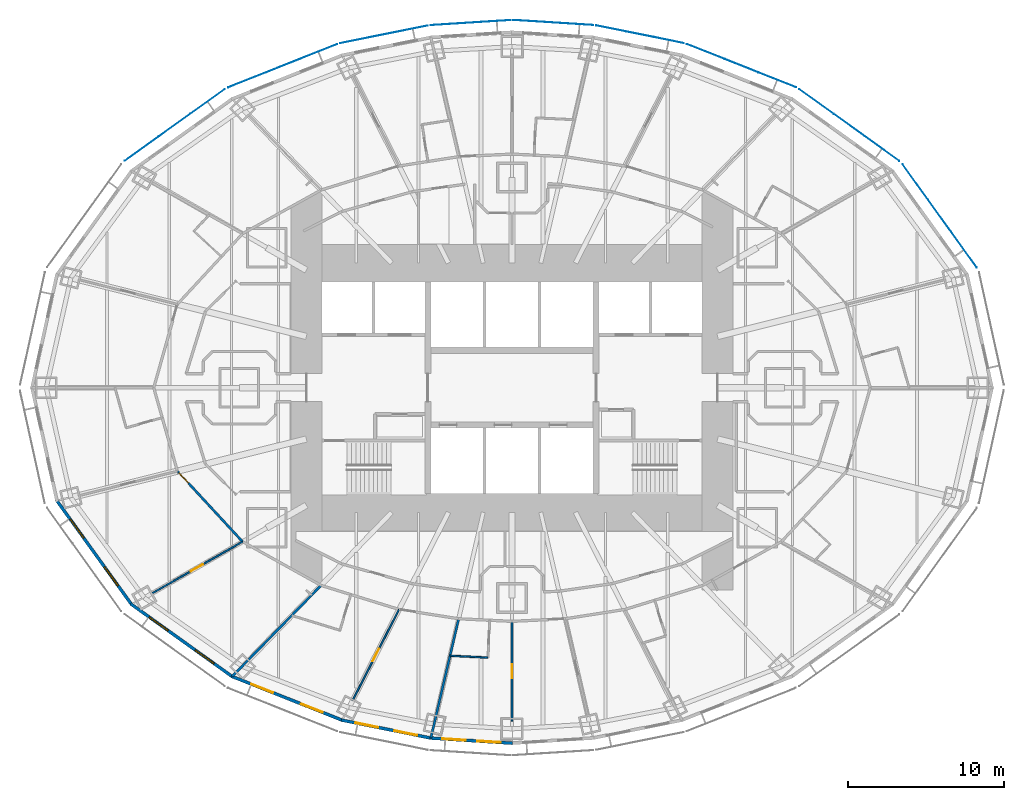
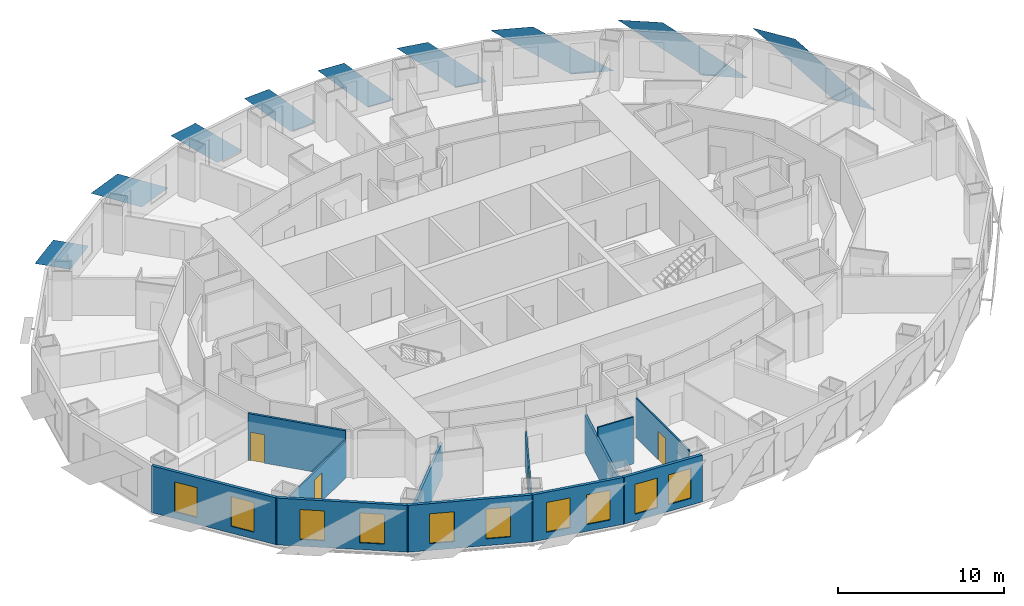
# One storey, part 4 of 15: 12 walls, 10 windows, 9 plates, 4 doors, 14 openings.
"""IFC4 building model written with IfcOpenShell, lengths in metres."""

from ifc_helpers import new_model, si_unit, direction, frame, frame_2d, origin, place, context, subcontext, project, spatial, polyline, rectangle, outline, extrude, material, layer, layer_set, type_object, element, fill, save


model = new_model("IFC4")

# Units and contexts
model_context = context("Model", 3, precision=1e-05, world=origin(), true_north=direction((0.0, 1.0)))
body_context = subcontext(model_context, "Body", "Model", "MODEL_VIEW")
ifc_project = project(units=[si_unit("LENGTHUNIT", "METRE"), si_unit("AREAUNIT", "SQUARE_METRE"), si_unit("VOLUMEUNIT", "CUBIC_METRE"), si_unit("PLANEANGLEUNIT", "RADIAN"), si_unit("MASSUNIT", "GRAM", prefix="KILO")], contexts=[model_context])

# Site, building, storey
site_placement = place(None, origin())
site = spatial("IfcSite", under=ifc_project, at=site_placement, CompositionType="ELEMENT")
building_placement = place(site_placement, origin())
building = spatial("IfcBuilding", under=site, at=building_placement, Name="Lantaw Convention Tower", CompositionType="ELEMENT")
storey_placement = place(building_placement, frame((0.0, 0.0, 98.199951171875)))
storey = spatial("IfcBuildingStorey", under=building, at=storey_placement, Name="L23", CompositionType="ELEMENT", Elevation=98.199951171875)

# Plates
ifc_material_1 = material(Name="Perforated aluminium sheet, pale silver finish", Category="aluminium")
ifc_layer_1 = layer(ifc_material_1, 0.006103515625)
ifc_layer_set_1 = layer_set([ifc_layer_1], Name="Perforated aluminium solar SCREEN panel")
plate_type = type_object("IfcPlateType", Name="Perforated aluminium solar SCREEN panel", PredefinedType="SHEET", material=ifc_layer_set_1)
plate_1_placement = place(storey_placement, frame((29.847900390625, 7.720947265625, -0.175048828125), z_axis=(0.811791382613, 0.583947558463, 9.019268e-06), x_axis=(-0.583947558486, 0.811791382646, 0.0)))
element("IfcPlate", 1, at=plate_1_placement, inside=storey, type_object=plate_type, Name="Solar SCREEN panel", PredefinedType="SHEET", context=body_context, shape_type="SweptSolid", body=[
    extrude(outline(polyline([(0.0, 0.0), (2.809541672291133, 0.0), (8.163093158837512, 3.739990234527119), (5.353551486546379, 3.739990234527119), (0.0, 0.0)])), origin(), (0.0, 0.0, -1.0), 0.006103515625),
])
plate_2_placement = place(storey_placement, frame((24.872314453125, 14.555908203125, -0.175048828125), z_axis=(0.582561421998, 0.812786681331, 1.5819417e-05), x_axis=(-0.812786681433, 0.582561422071, 0.0)))
element("IfcPlate", 2, at=plate_2_placement, inside=storey, type_object=plate_type, Name="Solar SCREEN panel", PredefinedType="SHEET", context=body_context, shape_type="SweptSolid", body=[
    extrude(outline(polyline([(0.0, 0.0), (2.721095180812288, 3.3881317890172014e-21), (7.903118572410756, 3.739990234842974), (5.182023391598468, 3.739990234842974), (0.0, 0.0)])), origin(), (0.0, 0.0, -1.0), 0.006103515625),
])
plate_3_placement = place(storey_placement, frame((18.232177734375, 19.278076171875, -0.175048828125), z_axis=(-0.369183532846, -0.929356508016, 9.163296e-06), x_axis=(-0.929356508055, 0.369183532862, 0.0)))
element("IfcPlate", 3, at=plate_3_placement, inside=storey, type_object=plate_type, Name="Solar SCREEN panel", PredefinedType="SHEET", context=body_context, shape_type="SweptSolid", body=[
    extrude(outline(polyline([(0.0, 0.0), (2.594936467166582, -1.6940658945086007e-21), (7.5321069917580825, -3.739990234532016), (4.937170524591499, -3.739990234532016), (0.0, 0.0)])), origin(), (0.0, 0.0, -1.0), 0.006103515625),
])
plate_4_placement = place(storey_placement, frame((11.03271484375, 22.117919921875, -0.175048828125), z_axis=(-0.197781876197, -0.980246055561, 2.418535e-06), x_axis=(-0.980246055563, 0.197781876198, 1.46e-10)))
element("IfcPlate", 4, at=plate_4_placement, inside=storey, type_object=plate_type, Name="Solar SCREEN panel", PredefinedType="SHEET", context=body_context, shape_type="SweptSolid", body=[
    extrude(outline(polyline([(0.0, 0.0), (1.9867801772236329, -3.1763735522036263e-22), (5.743587245978565, -3.7399902335493134), (3.7568553553458006, -3.739990234128105), (0.0, 0.0)])), origin(), (0.0, 0.0, -1.0), 0.006103515625),
])
plate_5_placement = place(storey_placement, frame((5.221923828125, 23.27783203125, -0.175048828125), z_axis=(-0.062923905251, -0.998018327468, 1.3605496e-05), x_axis=(-0.998018327561, 0.062923905257, 9.3e-10)))
element("IfcPlate", 5, at=plate_5_placement, inside=storey, type_object=plate_type, Name="Solar SCREEN panel", PredefinedType="SHEET", context=body_context, shape_type="SweptSolid", body=[
    extrude(outline(polyline([(0.0, 0.0), (1.7828375409377817, -2.117582368135751e-22), (5.143985963027618, -3.739990229938699), (3.3611637843713935, -3.7399902332537565), (0.0, 0.0)])), origin(), (0.0, 0.0, -1.0), 0.006103515625),
])
plate_6_placement = place(storey_placement, frame((-0.088134765625, 23.6015625, -0.175048828125), z_axis=(-0.062923905251, 0.998018327468, 1.3605496e-05), x_axis=(-0.998018327561, -0.062923905257, -9.3e-10)))
element("IfcPlate", 6, at=plate_6_placement, inside=storey, type_object=plate_type, Name="Solar SCREEN panel", PredefinedType="SHEET", context=body_context, shape_type="SweptSolid", body=[
    extrude(outline(polyline([(0.0, 0.0), (1.782822178656225, -2.117582368135751e-22), (5.143985956073316, 3.7399902395036517), (3.3611484151355353, 3.7399902361885653), (0.0, 0.0)])), origin(), (0.0, 0.0, -1.0), 0.006103515625),
])
plate_7_placement = place(storey_placement, frame((-5.402587890625, 23.25390625, -0.175048828125), z_axis=(-0.197781876197, 0.980246055561, 2.418535e-06), x_axis=(-0.980246055563, -0.197781876198, -1.46e-10)))
element("IfcPlate", 7, at=plate_7_placement, inside=storey, type_object=plate_type, Name="Solar SCREEN panel", PredefinedType="SHEET", context=body_context, shape_type="SweptSolid", body=[
    extrude(outline(polyline([(0.0, 0.0), (1.9867318906327642, 1.0587911840678754e-22), (5.743587244888999, 3.7399902352225842), (3.7568070676653664, 3.7399902346437783), (0.0, 0.0)])), origin(), (0.0, 0.0, -1.0), 0.006103515625),
])
plate_8_placement = place(storey_placement, frame((-11.232177734375, 22.058837890625, -0.175048828125), z_axis=(-0.369183532846, 0.929356508016, 9.163296e-06), x_axis=(-0.929356508055, -0.369183532862, 0.0)))
element("IfcPlate", 8, at=plate_8_placement, inside=storey, type_object=plate_type, Name="Solar SCREEN panel", PredefinedType="SHEET", context=body_context, shape_type="SweptSolid", body=[
    extrude(outline(polyline([(0.0, 0.0), (2.594936467166582, 1.6940658945086007e-21), (7.5321069917580825, 3.739990234532016), (4.937170524591499, 3.739990234532016), (0.0, 0.0)])), origin(), (0.0, 0.0, -1.0), 0.006103515625),
])
plate_9_placement = place(storey_placement, frame((-18.44873046875, 19.159912109375, -0.175048828125), z_axis=(0.582561421998, -0.812786681331, 1.5819417e-05), x_axis=(-0.812786681433, -0.582561422071, 0.0)))
element("IfcPlate", 9, at=plate_9_placement, inside=storey, type_object=plate_type, Name="Solar SCREEN panel", PredefinedType="SHEET", context=body_context, shape_type="SweptSolid", body=[
    extrude(outline(polyline([(0.0, 0.0), (2.721095180812288, -3.3881317890172014e-21), (7.903118572410756, -3.739990234842974), (5.182023391598468, -3.739990234842974), (0.0, 0.0)])), origin(), (0.0, 0.0, -1.0), 0.006103515625),
])

# Wall
ifc_material_2 = material(Name="Moisture resistant gypsum board on steel studs", Category="steel")
ifc_layer_2 = layer(ifc_material_2, 0.10009765625)
ifc_layer_set_2 = layer_set([ifc_layer_2], Name="Bathroom wall 100")
wall_type_1 = type_object("IfcWallType", Name="Bathroom wall 100", PredefinedType="PARTITIONING", material=ifc_layer_set_2)
wall_1_placement = place(storey_placement, frame((-1.5439453125, -17.327392578125, 0.0), z_axis=(0.0, 0.0, 1.0), x_axis=(-0.998813899717, 0.048690797202, 0.0)))
element("IfcWall", 10, at=wall_1_placement, inside=storey, type_object=wall_type_1, Name="Bathroom wall 100", PredefinedType="PARTITIONING", context=body_context, shape_type="SweptSolid", body=[
    extrude(rectangle(XDim=2.431884765625, YDim=0.10009765625, at=frame_2d((1.2158203125, 0.0))), origin(), (0.0, 0.0, 1.0), 3.449951171875),
])

# Wall, opening, door
ifc_material_3 = material(Name="Gypsum board on steel studs, fire rated", Category="steel")
ifc_layer_3 = layer(ifc_material_3, 0.14990234375)
ifc_layer_set_3 = layer_set([ifc_layer_3], Name="Corridor wall 150 EI 60")
wall_type_2 = type_object("IfcWallType", Name="Corridor wall 150 EI 60", PredefinedType="PARTITIONING", material=ifc_layer_set_3)
wall_2_placement = place(storey_placement, frame((-21.483642578125, -5.3564453125, 0.0), z_axis=(0.0, 0.0, 1.0), x_axis=(0.678641806296, -0.734469399463, 0.0)))
wall_2 = element("IfcWall", 11, at=wall_2_placement, inside=storey, type_object=wall_type_2, Name="Corridor wall 150", PredefinedType="PARTITIONING", context=body_context, shape_type="SweptSolid", body=[
    extrude(rectangle(XDim=6.166015625, YDim=0.14990234375, at=frame_2d((3.0830078125, 0.0))), origin(), (0.0, 0.0, 1.0), 3.449951171875),
])
opening_1_placement = place(wall_2_placement, frame((0.14990234375, 0.0, 0.0)))
opening_1 = element("IfcOpeningElement", 12, at=opening_1_placement, cuts=wall_2, Name="Opening L23.46", PredefinedType="OPENING", context=body_context, shape_type="SweptSolid", body=[
    extrude(rectangle(XDim=0.89990234375, YDim=2.10009765625, at=frame_2d((0.449951171875, 1.050048828125))), frame((0.0, 0.0849609375, 0.0), z_axis=(0.0, -1.0, 0.0), x_axis=(1.0, 0.0, 0.0)), (0.0, 0.0, 1.0), 0.169921875),
])
ifc_material_4 = material(Name="Steel, fire rated", Category="steel")
door_type_1 = type_object("IfcDoorType", Name="Guest room entrance door FD30S", OperationType="SINGLE_SWING_LEFT", PredefinedType="DOOR", material=ifc_material_4)
door_1_placement = place(opening_1_placement, origin())
door_1 = element("IfcDoor", 13, at=door_1_placement, inside=storey, type_object=door_type_1, Name="Suite entrance door", OperationType="SINGLE_SWING_LEFT", OverallHeight=2.10009765625, OverallWidth=0.89990234375, PredefinedType="DOOR", context=body_context, shape_type="SweptSolid", body=[
    extrude(rectangle(XDim=0.89990234375, YDim=2.10009765625, at=frame_2d((0.449951171875, 1.050048828125))), frame((0.0, 0.02490234375, 0.0), z_axis=(0.0, -1.0, 0.0), x_axis=(1.0, 0.0, 0.0)), (0.0, 0.0, 1.0), 0.050048828125),
])
fill(opening_1, door_1)

# Wall, openings, windows
ifc_material_5 = material(Name="Insulated aluminium panel on steel frame", Category="steel")
ifc_layer_4 = layer(ifc_material_5, 0.199951171875)
ifc_layer_set_4 = layer_set([ifc_layer_4], Name="External wall 200")
wall_type_3 = type_object("IfcWallType", Name="External wall 200", PredefinedType="SOLIDWALL", material=ifc_layer_set_4)
wall_3_placement = place(storey_placement, frame((-29.260498046875, -7.199951171875, 0.0), z_axis=(0.0, 0.0, 1.0), x_axis=(0.583937613703, -0.811798536155, 0.0)))
wall_3 = element("IfcWall", 14, at=wall_3_placement, inside=storey, type_object=wall_type_3, Name="Facade panel wall", PredefinedType="SOLIDWALL", context=body_context, shape_type="SweptSolid", body=[
    extrude(rectangle(XDim=8.322998046875, YDim=0.199951171875, at=frame_2d((4.16162109375, 0.0))), origin(), (0.0, 0.0, 1.0), 3.449951171875),
])
opening_2_placement = place(wall_3_placement, frame((1.53076171875, 0.0, 0.5)))
opening_2 = element("IfcOpeningElement", 15, at=opening_2_placement, cuts=wall_3, Name="Opening W2", PredefinedType="OPENING", context=body_context, shape_type="SweptSolid", body=[
    extrude(rectangle(XDim=1.5, YDim=2.199951171875, at=frame_2d((0.75, 1.10009765625))), frame((0.0, 0.10986328125, 0.0), z_axis=(0.0, -1.0, 0.0), x_axis=(1.0, 0.0, 0.0)), (0.0, 0.0, 1.0), 0.219970703125),
])
opening_3_placement = place(wall_3_placement, frame((5.292236328125, 0.0, 0.5)))
opening_3 = element("IfcOpeningElement", 16, at=opening_3_placement, cuts=wall_3, Name="Opening W2", PredefinedType="OPENING", context=body_context, shape_type="SweptSolid", body=[
    extrude(rectangle(XDim=1.5, YDim=2.199951171875, at=frame_2d((0.75, 1.10009765625))), frame((0.0, 0.10986328125, 0.0), z_axis=(0.0, -1.0, 0.0), x_axis=(1.0, 0.0, 0.0)), (0.0, 0.0, 1.0), 0.219970703125),
])
ifc_material_6 = material(Name="Aluminium frame, clear insulating glass", Category="aluminium")
window_type = type_object("IfcWindowType", Name="Suite window 1500x2200", PartitioningType="SINGLE_PANEL", PredefinedType="WINDOW", material=ifc_material_6)
window_1_placement = place(opening_2_placement, origin())
window_1 = element("IfcWindow", 17, at=window_1_placement, inside=storey, type_object=window_type, Name="Guest room window", OverallHeight=2.199951171875, OverallWidth=1.5, PartitioningType="SINGLE_PANEL", PredefinedType="WINDOW", context=body_context, shape_type="SweptSolid", body=[
    extrude(rectangle(XDim=1.5, YDim=2.199951171875, at=frame_2d((0.75, 1.10009765625))), frame((0.0, 0.030029296875, 0.0), z_axis=(0.0, -1.0, 0.0), x_axis=(1.0, 0.0, 0.0)), (0.0, 0.0, 1.0), 0.06005859375),
])
fill(opening_2, window_1)
window_2_placement = place(opening_3_placement, origin())
window_2 = element("IfcWindow", 18, at=window_2_placement, inside=storey, type_object=window_type, Name="Guest room window", OverallHeight=2.199951171875, OverallWidth=1.5, PartitioningType="SINGLE_PANEL", PredefinedType="WINDOW", context=body_context, shape_type="SweptSolid", body=[
    extrude(rectangle(XDim=1.5, YDim=2.199951171875, at=frame_2d((0.75, 1.10009765625))), frame((0.0, 0.030029296875, 0.0), z_axis=(0.0, -1.0, 0.0), x_axis=(1.0, 0.0, 0.0)), (0.0, 0.0, 1.0), 0.06005859375),
])
fill(opening_3, window_2)

wall_4_placement = place(storey_placement, frame((-24.482421875, -13.87451171875, 0.0), z_axis=(0.0, 0.0, 1.0), x_axis=(0.812791321576, -0.582554948112, 0.0)))
wall_4 = element("IfcWall", 19, at=wall_4_placement, inside=storey, type_object=wall_type_3, Name="Facade panel wall", PredefinedType="SOLIDWALL", context=body_context, shape_type="SweptSolid", body=[
    extrude(rectangle(XDim=8.063232421875, YDim=0.199951171875, at=frame_2d((4.03173828125, 0.0))), origin(), (0.0, 0.0, 1.0), 3.449951171875),
])
opening_4_placement = place(wall_4_placement, frame((1.4658203125, 0.0, 0.5)))
opening_4 = element("IfcOpeningElement", 20, at=opening_4_placement, cuts=wall_4, Name="Opening W2", PredefinedType="OPENING", context=body_context, shape_type="SweptSolid", body=[
    extrude(rectangle(XDim=1.5, YDim=2.199951171875, at=frame_2d((0.75, 1.10009765625))), frame((0.0, 0.10986328125, 0.0), z_axis=(0.0, -1.0, 0.0), x_axis=(1.0, 0.0, 0.0)), (0.0, 0.0, 1.0), 0.219970703125),
])
opening_5_placement = place(wall_4_placement, frame((5.097412109375, 0.0, 0.5)))
opening_5 = element("IfcOpeningElement", 21, at=opening_5_placement, cuts=wall_4, Name="Opening W2", PredefinedType="OPENING", context=body_context, shape_type="SweptSolid", body=[
    extrude(rectangle(XDim=1.5, YDim=2.199951171875, at=frame_2d((0.75, 1.10009765625))), frame((0.0, 0.10986328125, 0.0), z_axis=(0.0, -1.0, 0.0), x_axis=(1.0, 0.0, 0.0)), (0.0, 0.0, 1.0), 0.219970703125),
])
window_3_placement = place(opening_4_placement, origin())
window_3 = element("IfcWindow", 22, at=window_3_placement, inside=storey, type_object=window_type, Name="Guest room window", OverallHeight=2.199951171875, OverallWidth=1.5, PartitioningType="SINGLE_PANEL", PredefinedType="WINDOW", context=body_context, shape_type="SweptSolid", body=[
    extrude(rectangle(XDim=1.5, YDim=2.199951171875, at=frame_2d((0.75, 1.10009765625))), frame((0.0, 0.030029296875, 0.0), z_axis=(0.0, -1.0, 0.0), x_axis=(1.0, 0.0, 0.0)), (0.0, 0.0, 1.0), 0.06005859375),
])
fill(opening_4, window_3)
window_4_placement = place(opening_5_placement, origin())
window_4 = element("IfcWindow", 23, at=window_4_placement, inside=storey, type_object=window_type, Name="Guest room window", OverallHeight=2.199951171875, OverallWidth=1.5, PartitioningType="SINGLE_PANEL", PredefinedType="WINDOW", context=body_context, shape_type="SweptSolid", body=[
    extrude(rectangle(XDim=1.5, YDim=2.199951171875, at=frame_2d((0.75, 1.10009765625))), frame((0.0, 0.030029296875, 0.0), z_axis=(0.0, -1.0, 0.0), x_axis=(1.0, 0.0, 0.0)), (0.0, 0.0, 1.0), 0.06005859375),
])
fill(opening_5, window_4)

wall_5_placement = place(storey_placement, frame((-18.018310546875, -18.522705078125, 0.0), z_axis=(0.0, 0.0, 1.0), x_axis=(0.929358351251, -0.369178892895, 0.0)))
wall_5 = element("IfcWall", 24, at=wall_5_placement, inside=storey, type_object=wall_type_3, Name="Facade panel wall", PredefinedType="SOLIDWALL", context=body_context, shape_type="SweptSolid", body=[
    extrude(rectangle(XDim=7.6923828125, YDim=0.199951171875, at=frame_2d((3.84619140625, 0.0))), origin(), (0.0, 0.0, 1.0), 3.449951171875),
])
opening_6_placement = place(wall_5_placement, frame((1.373046875, 0.0, 0.5)))
opening_6 = element("IfcOpeningElement", 25, at=opening_6_placement, cuts=wall_5, Name="Opening W2", PredefinedType="OPENING", context=body_context, shape_type="SweptSolid", body=[
    extrude(rectangle(XDim=1.5, YDim=2.199951171875, at=frame_2d((0.75, 1.10009765625))), frame((0.0, 0.10986328125, 0.0), z_axis=(0.0, -1.0, 0.0), x_axis=(1.0, 0.0, 0.0)), (0.0, 0.0, 1.0), 0.219970703125),
])
opening_7_placement = place(wall_5_placement, frame((4.819091796875, 0.0, 0.5)))
opening_7 = element("IfcOpeningElement", 26, at=opening_7_placement, cuts=wall_5, Name="Opening W2", PredefinedType="OPENING", context=body_context, shape_type="SweptSolid", body=[
    extrude(rectangle(XDim=1.5, YDim=2.199951171875, at=frame_2d((0.75, 1.10009765625))), frame((0.0, 0.10986328125, 0.0), z_axis=(0.0, -1.0, 0.0), x_axis=(1.0, 0.0, 0.0)), (0.0, 0.0, 1.0), 0.219970703125),
])
window_5_placement = place(opening_6_placement, origin())
window_5 = element("IfcWindow", 27, at=window_5_placement, inside=storey, type_object=window_type, Name="Guest room window", OverallHeight=2.199951171875, OverallWidth=1.5, PartitioningType="SINGLE_PANEL", PredefinedType="WINDOW", context=body_context, shape_type="SweptSolid", body=[
    extrude(rectangle(XDim=1.5, YDim=2.199951171875, at=frame_2d((0.75, 1.10009765625))), frame((0.0, 0.030029296875, 0.0), z_axis=(0.0, -1.0, 0.0), x_axis=(1.0, 0.0, 0.0)), (0.0, 0.0, 1.0), 0.06005859375),
])
fill(opening_6, window_5)
window_6_placement = place(opening_7_placement, origin())
window_6 = element("IfcWindow", 28, at=window_6_placement, inside=storey, type_object=window_type, Name="Guest room window", OverallHeight=2.199951171875, OverallWidth=1.5, PartitioningType="SINGLE_PANEL", PredefinedType="WINDOW", context=body_context, shape_type="SweptSolid", body=[
    extrude(rectangle(XDim=1.5, YDim=2.199951171875, at=frame_2d((0.75, 1.10009765625))), frame((0.0, 0.030029296875, 0.0), z_axis=(0.0, -1.0, 0.0), x_axis=(1.0, 0.0, 0.0)), (0.0, 0.0, 1.0), 0.06005859375),
])
fill(opening_7, window_6)

wall_6_placement = place(storey_placement, frame((-10.956787109375, -21.336669921875, 0.0), z_axis=(0.0, 0.0, 1.0), x_axis=(0.980251657452, -0.197754110105, 0.0)))
wall_6 = element("IfcWall", 29, at=wall_6_placement, inside=storey, type_object=wall_type_3, Name="Facade panel wall", PredefinedType="SOLIDWALL", context=body_context, shape_type="SweptSolid", body=[
    extrude(rectangle(XDim=5.90380859375, YDim=0.199951171875, at=frame_2d((2.951904296875, 0.0))), origin(), (0.0, 0.0, 1.0), 3.449951171875),
])
opening_8_placement = place(wall_6_placement, frame((0.92578125, 0.0, 0.5)))
opening_8 = element("IfcOpeningElement", 30, at=opening_8_placement, cuts=wall_6, Name="Opening W2", PredefinedType="OPENING", context=body_context, shape_type="SweptSolid", body=[
    extrude(rectangle(XDim=1.5, YDim=2.199951171875, at=frame_2d((0.75, 1.10009765625))), frame((0.0, 0.10986328125, 0.0), z_axis=(0.0, -1.0, 0.0), x_axis=(1.0, 0.0, 0.0)), (0.0, 0.0, 1.0), 0.219970703125),
])
opening_9_placement = place(wall_6_placement, frame((3.477783203125, 0.0, 0.5)))
opening_9 = element("IfcOpeningElement", 31, at=opening_9_placement, cuts=wall_6, Name="Opening W2", PredefinedType="OPENING", context=body_context, shape_type="SweptSolid", body=[
    extrude(rectangle(XDim=1.5, YDim=2.199951171875, at=frame_2d((0.75, 1.10009765625))), frame((0.0, 0.10986328125, 0.0), z_axis=(0.0, -1.0, 0.0), x_axis=(1.0, 0.0, 0.0)), (0.0, 0.0, 1.0), 0.219970703125),
])
window_7_placement = place(opening_8_placement, origin())
window_7 = element("IfcWindow", 32, at=window_7_placement, inside=storey, type_object=window_type, Name="Guest room window", OverallHeight=2.199951171875, OverallWidth=1.5, PartitioningType="SINGLE_PANEL", PredefinedType="WINDOW", context=body_context, shape_type="SweptSolid", body=[
    extrude(rectangle(XDim=1.5, YDim=2.199951171875, at=frame_2d((0.75, 1.10009765625))), frame((0.0, 0.030029296875, 0.0), z_axis=(0.0, -1.0, 0.0), x_axis=(1.0, 0.0, 0.0)), (0.0, 0.0, 1.0), 0.06005859375),
])
fill(opening_8, window_7)
window_8_placement = place(opening_9_placement, origin())
window_8 = element("IfcWindow", 33, at=window_8_placement, inside=storey, type_object=window_type, Name="Guest room window", OverallHeight=2.199951171875, OverallWidth=1.5, PartitioningType="SINGLE_PANEL", PredefinedType="WINDOW", context=body_context, shape_type="SweptSolid", body=[
    extrude(rectangle(XDim=1.5, YDim=2.199951171875, at=frame_2d((0.75, 1.10009765625))), frame((0.0, 0.030029296875, 0.0), z_axis=(0.0, -1.0, 0.0), x_axis=(1.0, 0.0, 0.0)), (0.0, 0.0, 1.0), 0.06005859375),
])
fill(opening_9, window_8)

wall_7_placement = place(storey_placement, frame((-5.252685546875, -22.493408203125, 0.0), z_axis=(0.0, 0.0, 1.0), x_axis=(0.998018582375, -0.062919863585, 0.0)))
wall_7 = element("IfcWall", 34, at=wall_7_placement, inside=storey, type_object=wall_type_3, Name="Facade panel wall", PredefinedType="SOLIDWALL", context=body_context, shape_type="SweptSolid", body=[
    extrude(rectangle(XDim=5.30419921875, YDim=0.199951171875, at=frame_2d((2.652099609375, 0.0))), origin(), (0.0, 0.0, 1.0), 3.449951171875),
])
opening_10_placement = place(wall_7_placement, frame((0.77587890625, 0.0, 0.5)))
opening_10 = element("IfcOpeningElement", 35, at=opening_10_placement, cuts=wall_7, Name="Opening W2", PredefinedType="OPENING", context=body_context, shape_type="SweptSolid", body=[
    extrude(rectangle(XDim=1.5, YDim=2.199951171875, at=frame_2d((0.75, 1.10009765625))), frame((0.0, 0.10986328125, 0.0), z_axis=(0.0, -1.0, 0.0), x_axis=(1.0, 0.0, 0.0)), (0.0, 0.0, 1.0), 0.219970703125),
])
opening_11_placement = place(wall_7_placement, frame((3.028076171875, 0.0, 0.5)))
opening_11 = element("IfcOpeningElement", 36, at=opening_11_placement, cuts=wall_7, Name="Opening W2", PredefinedType="OPENING", context=body_context, shape_type="SweptSolid", body=[
    extrude(rectangle(XDim=1.5, YDim=2.199951171875, at=frame_2d((0.75, 1.10009765625))), frame((0.0, 0.10986328125, 0.0), z_axis=(0.0, -1.0, 0.0), x_axis=(1.0, 0.0, 0.0)), (0.0, 0.0, 1.0), 0.219970703125),
])
window_9_placement = place(opening_10_placement, origin())
window_9 = element("IfcWindow", 37, at=window_9_placement, inside=storey, type_object=window_type, Name="Guest room window", OverallHeight=2.199951171875, OverallWidth=1.5, PartitioningType="SINGLE_PANEL", PredefinedType="WINDOW", context=body_context, shape_type="SweptSolid", body=[
    extrude(rectangle(XDim=1.5, YDim=2.199951171875, at=frame_2d((0.75, 1.10009765625))), frame((0.0, 0.030029296875, 0.0), z_axis=(0.0, -1.0, 0.0), x_axis=(1.0, 0.0, 0.0)), (0.0, 0.0, 1.0), 0.06005859375),
])
fill(opening_10, window_9)
window_10_placement = place(opening_11_placement, origin())
window_10 = element("IfcWindow", 38, at=window_10_placement, inside=storey, type_object=window_type, Name="Guest room window", OverallHeight=2.199951171875, OverallWidth=1.5, PartitioningType="SINGLE_PANEL", PredefinedType="WINDOW", context=body_context, shape_type="SweptSolid", body=[
    extrude(rectangle(XDim=1.5, YDim=2.199951171875, at=frame_2d((0.75, 1.10009765625))), frame((0.0, 0.030029296875, 0.0), z_axis=(0.0, -1.0, 0.0), x_axis=(1.0, 0.0, 0.0)), (0.0, 0.0, 1.0), 0.06005859375),
])
fill(opening_11, window_10)

# Walls
ifc_material_7 = material(Name="Gypsum board on steel studs, acoustic", Category="steel")
ifc_layer_5 = layer(ifc_material_7, 0.14990234375)
ifc_layer_set_5 = layer_set([ifc_layer_5], Name="Guest room party wall 150")
wall_type_4 = type_object("IfcWallType", Name="Guest room party wall 150", PredefinedType="PARTITIONING", material=ifc_layer_set_5)
wall_8_placement = place(storey_placement, frame((-17.970458984375, -18.541748046875, 0.0), z_axis=(0.0, 0.0, 1.0), x_axis=(0.698757291878, 0.715358823981, 0.0)))
element("IfcWall", 39, at=wall_8_placement, inside=storey, type_object=wall_type_4, Name="Guest room party wall 150", PredefinedType="PARTITIONING", context=body_context, shape_type="SweptSolid", body=[
    extrude(rectangle(XDim=8.176513671875, YDim=0.14990234375, at=frame_2d((4.08837890625, 0.0))), origin(), (0.0, 0.0, 1.0), 2.528076171875),
])
wall_9_placement = place(storey_placement, frame((-5.2109375, -22.495849609375, 0.0), z_axis=(0.0, 0.0, 1.0), x_axis=(0.227056984461, 0.973881474209, 0.0)))
element("IfcWall", 40, at=wall_9_placement, inside=storey, type_object=wall_type_4, Name="Guest room party wall 150", PredefinedType="PARTITIONING", context=body_context, shape_type="SweptSolid", body=[
    extrude(rectangle(XDim=7.86865234375, YDim=0.14990234375, at=frame_2d((3.934326171875, 0.0))), origin(), (0.0, 0.0, 1.0), 2.766845703125),
])

# Wall, opening, door
ifc_material_8 = material(Name="Gypsum board on steel studs", Category="steel")
ifc_layer_6 = layer(ifc_material_8, 0.10009765625)
ifc_layer_set_6 = layer_set([ifc_layer_6], Name="Suite partition 100")
wall_type_5 = type_object("IfcWallType", Name="Suite partition 100", PredefinedType="PARTITIONING", material=ifc_layer_set_6)
wall_10_placement = place(storey_placement, frame((-23.1708984375, -13.240478515625, 0.0), z_axis=(0.0, 0.0, 1.0), x_axis=(0.868249806728, 0.496127275118, 0.0)))
wall_10 = element("IfcWall", 41, at=wall_10_placement, inside=storey, type_object=wall_type_5, Name="Suite partition 100", PredefinedType="PARTITIONING", context=body_context, shape_type="SweptSolid", body=[
    extrude(rectangle(XDim=6.762939453125, YDim=0.10009765625, at=frame_2d((3.38134765625, 0.0))), origin(), (0.0, 0.0, 1.0), 2.693115234375),
])
opening_12_placement = place(wall_10_placement, frame((2.931396484375, 0.0, 0.0)))
opening_12 = element("IfcOpeningElement", 42, at=opening_12_placement, cuts=wall_10, Name="Opening L23.45", PredefinedType="OPENING", context=body_context, shape_type="SweptSolid", body=[
    extrude(rectangle(XDim=0.89990234375, YDim=2.10009765625, at=frame_2d((0.449951171875, 1.050048828125))), frame((0.0, 0.06005859375, 0.0), z_axis=(0.0, -1.0, 0.0), x_axis=(1.0, 0.0, 0.0)), (0.0, 0.0, 1.0), 0.1201171875),
])
ifc_material_9 = material(Name="Timber", Category="wood")
door_type_2 = type_object("IfcDoorType", Name="Suite door 900", OperationType="SINGLE_SWING_LEFT", PredefinedType="DOOR", material=ifc_material_9)
door_2_placement = place(opening_12_placement, origin())
door_2 = element("IfcDoor", 43, at=door_2_placement, inside=storey, type_object=door_type_2, Name="Kitchenette door", OperationType="SINGLE_SWING_LEFT", OverallHeight=2.10009765625, OverallWidth=0.89990234375, PredefinedType="DOOR", context=body_context, shape_type="SweptSolid", body=[
    extrude(rectangle(XDim=0.89990234375, YDim=2.10009765625, at=frame_2d((0.449951171875, 1.050048828125))), frame((0.0, 0.02490234375, 0.0), z_axis=(0.0, -1.0, 0.0), x_axis=(1.0, 0.0, 0.0)), (0.0, 0.0, 1.0), 0.050048828125),
])
fill(opening_12, door_2)

wall_11_placement = place(storey_placement, frame((-10.235595703125, -20.08837890625, 0.0), z_axis=(0.0, 0.0, 1.0), x_axis=(0.453993694696, 0.89100489627, 0.0)))
wall_11 = element("IfcWall", 44, at=wall_11_placement, inside=storey, type_object=wall_type_5, Name="Suite partition 100", PredefinedType="PARTITIONING", context=body_context, shape_type="SweptSolid", body=[
    extrude(rectangle(XDim=6.56982421875, YDim=0.10009765625, at=frame_2d((3.284912109375, 0.0))), origin(), (0.0, 0.0, 1.0), 2.528076171875),
])
opening_13_placement = place(wall_11_placement, frame((2.8349609375, 0.0, 0.0)))
opening_13 = element("IfcOpeningElement", 45, at=opening_13_placement, cuts=wall_11, Name="Opening L23.48", PredefinedType="OPENING", context=body_context, shape_type="SweptSolid", body=[
    extrude(rectangle(XDim=0.89990234375, YDim=2.10009765625, at=frame_2d((0.449951171875, 1.050048828125))), frame((0.0, 0.06005859375, 0.0), z_axis=(0.0, -1.0, 0.0), x_axis=(1.0, 0.0, 0.0)), (0.0, 0.0, 1.0), 0.1201171875),
])
door_3_placement = place(opening_13_placement, origin())
door_3 = element("IfcDoor", 46, at=door_3_placement, inside=storey, type_object=door_type_2, Name="Bedroom door", OperationType="SINGLE_SWING_LEFT", OverallHeight=2.10009765625, OverallWidth=0.89990234375, PredefinedType="DOOR", context=body_context, shape_type="SweptSolid", body=[
    extrude(rectangle(XDim=0.89990234375, YDim=2.10009765625, at=frame_2d((0.449951171875, 1.050048828125))), frame((0.0, 0.02490234375, 0.0), z_axis=(0.0, -1.0, 0.0), x_axis=(1.0, 0.0, 0.0)), (0.0, 0.0, 1.0), 0.050048828125),
])
fill(opening_13, door_3)

wall_12_placement = place(storey_placement, frame((0.0, -21.39990234375, 0.0), z_axis=(0.0, 0.0, 1.0), x_axis=(0.0, 1.0, 0.0)))
wall_12 = element("IfcWall", 47, at=wall_12_placement, inside=storey, type_object=wall_type_5, Name="Suite partition 100", PredefinedType="PARTITIONING", context=body_context, shape_type="SweptSolid", body=[
    extrude(rectangle(XDim=6.39990234375, YDim=0.10009765625, at=frame_2d((3.199951171875, 0.0))), origin(), (0.0, 0.0, 1.0), 2.92431640625),
])
opening_14_placement = place(wall_12_placement, frame((2.75, 0.0, 0.0)))
opening_14 = element("IfcOpeningElement", 48, at=opening_14_placement, cuts=wall_12, Name="Opening L23.51", PredefinedType="OPENING", context=body_context, shape_type="SweptSolid", body=[
    extrude(rectangle(XDim=0.89990234375, YDim=2.10009765625, at=frame_2d((0.449951171875, 1.050048828125))), frame((0.0, 0.06005859375, 0.0), z_axis=(0.0, -1.0, 0.0), x_axis=(1.0, 0.0, 0.0)), (0.0, 0.0, 1.0), 0.1201171875),
])
door_4_placement = place(opening_14_placement, origin())
door_4 = element("IfcDoor", 49, at=door_4_placement, inside=storey, type_object=door_type_2, Name="Bedroom door", OperationType="SINGLE_SWING_LEFT", OverallHeight=2.10009765625, OverallWidth=0.89990234375, PredefinedType="DOOR", context=body_context, shape_type="SweptSolid", body=[
    extrude(rectangle(XDim=0.89990234375, YDim=2.10009765625, at=frame_2d((0.449951171875, 1.050048828125))), frame((0.0, 0.02490234375, 0.0), z_axis=(0.0, -1.0, 0.0), x_axis=(1.0, 0.0, 0.0)), (0.0, 0.0, 1.0), 0.050048828125),
])
fill(opening_14, door_4)

save(model, "model.ifc")
